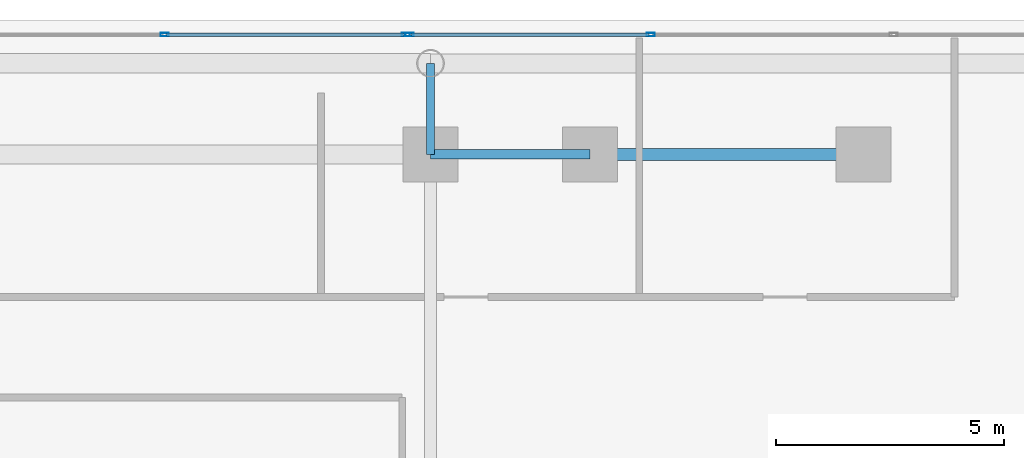
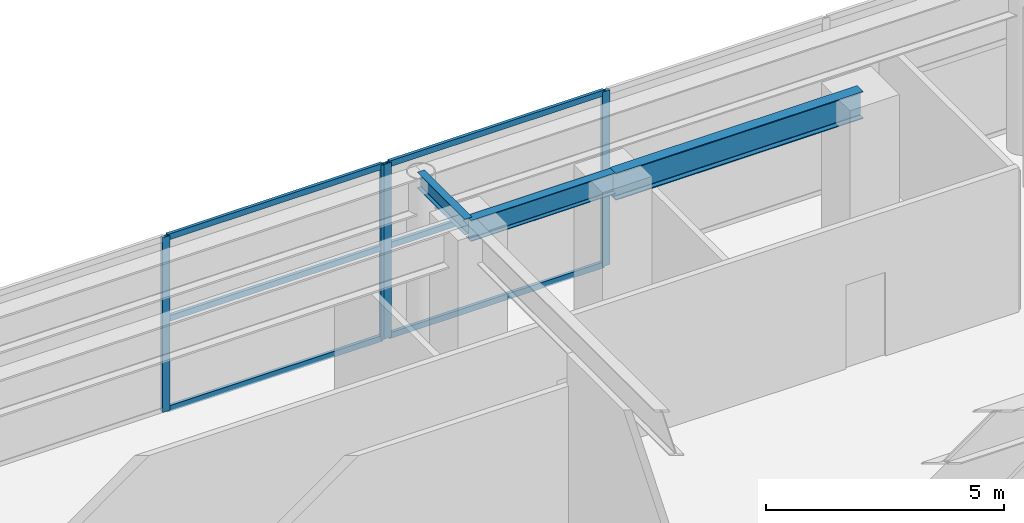
# One storey, part 15 of 28: 10 members, 3 beams, 2 elements without a shape of their own.
"""IFC4 building model written with IfcOpenShell, lengths in metres."""

from ifc_helpers import new_model, si_unit, direction, frame, origin, origin_2d, place, context, subcontext, project, spatial, hollow_rectangle, i_section, extrude, source, transform, mapped, material, layer, layer_set, material_profile, profile_set, type_object, element, aggregate, save


model = new_model("IFC4")

# Units and contexts
model_context = context("Model", 3, precision=1e-05, world=origin(), true_north=direction((0.0, 1.0)))
body_context = subcontext(model_context, "Body", "Model", "MODEL_VIEW")
ifc_project = project(units=[si_unit("LENGTHUNIT", "METRE"), si_unit("AREAUNIT", "SQUARE_METRE"), si_unit("VOLUMEUNIT", "CUBIC_METRE"), si_unit("PLANEANGLEUNIT", "RADIAN"), si_unit("MASSUNIT", "GRAM", prefix="KILO")], contexts=[model_context])

# Site, building, storey
site_placement = place(None, origin())
site = spatial("IfcSite", under=ifc_project, at=site_placement, CompositionType="ELEMENT")
building_placement = place(site_placement, origin())
building = spatial("IfcBuilding", under=site, at=building_placement, Name="Ocotamira Hotel", CompositionType="ELEMENT")
storey_placement = place(building_placement, frame((0.0, 0.0, 24.0)))
storey = spatial("IfcBuildingStorey", under=building, at=storey_placement, Name="L05", CompositionType="ELEMENT", Elevation=24.0)

# Beams
ifc_material_1 = material(Name="Steel ASTM A992 Grade 50", Category="steel")
ifc_material_profile_1 = material_profile(ifc_material_1, i_section(OverallWidth=0.256103515625, OverallDepth=0.693115234375, WebThickness=0.014404296875, FlangeThickness=0.023681640625, FilletRadius=0.01611328125, at=origin_2d()), Name="W27X114")
ifc_profile_set_1 = profile_set([ifc_material_profile_1], Name="Steel ASTM A992 Grade 50")
beam_type_1 = type_object("IfcBeamType", Name="BM-PRIM-W27X114", PredefinedType="BEAM", material=ifc_profile_set_1)
shared_shape_1 = source(origin(), body_context, "Body", "SweptSolid", [
    extrude(i_section(OverallWidth=0.256103515625, OverallDepth=0.693115234375, WebThickness=0.014404296875, FlangeThickness=0.023681640625, FilletRadius=0.01611328125, at=origin_2d()), origin(), (0.0, 0.0, 1.0), 6.0),
])
beam_1_placement = place(storey_placement, frame((44.0, 49.050048828125, 4.133544921875), z_axis=(1.0, 0.0, 0.0), x_axis=(0.0, 1.0, 0.0)))
element("IfcBeam", 1, at=beam_1_placement, inside=storey, type_object=beam_type_1, Name="L05 Girder Y49.05 X44-50", PredefinedType="BEAM", context=body_context, shape_type="MappedRepresentation", body=[
    mapped(shared_shape_1, transform((0.0, 0.0, 0.0), scale=1.0)),
])
ifc_material_profile_2 = material_profile(ifc_material_1, i_section(OverallWidth=0.2099609375, OverallDepth=0.537109375, WebThickness=0.010986328125, FlangeThickness=0.017333984375, FilletRadius=0.012939453125, at=origin_2d()), Name="W21X68")
ifc_profile_set_2 = profile_set([ifc_material_profile_2], Name="Steel ASTM A992 Grade 50")
beam_type_2 = type_object("IfcBeamType", Name="BM-SEC-W21X68", PredefinedType="JOIST", material=ifc_profile_set_2)
shared_shape_2 = source(origin(), body_context, "Body", "SweptSolid", [
    extrude(i_section(OverallWidth=0.2099609375, OverallDepth=0.537109375, WebThickness=0.010986328125, FlangeThickness=0.017333984375, FilletRadius=0.012939453125, at=origin_2d()), origin(), (0.0, 0.0, 1.0), 3.5),
])
beam_2_placement = place(storey_placement, frame((40.5, 49.050048828125, 4.21142578125), z_axis=(1.0, 0.0, 0.0), x_axis=(0.0, 1.0, 0.0)))
element("IfcBeam", 2, at=beam_2_placement, inside=storey, type_object=beam_type_2, Name="L05 Girder Y49.05 X40.5-44", PredefinedType="JOIST", context=body_context, shape_type="MappedRepresentation", body=[
    mapped(shared_shape_2, transform((0.0, 0.0, 0.0), scale=1.0)),
])
ifc_material_profile_3 = material_profile(ifc_material_1, i_section(OverallWidth=0.177978515625, OverallDepth=0.403076171875, WebThickness=0.007568359375, FlangeThickness=0.010986328125, FilletRadius=0.010009765625, at=origin_2d()), Name="W16X36")
ifc_profile_set_3 = profile_set([ifc_material_profile_3], Name="Steel ASTM A992 Grade 50")
beam_type_3 = type_object("IfcBeamType", Name="BM-SEC-W16X36", PredefinedType="JOIST", material=ifc_profile_set_3)
shared_shape_3 = source(origin(), body_context, "Body", "SweptSolid", [
    extrude(i_section(OverallWidth=0.177978515625, OverallDepth=0.403076171875, WebThickness=0.007568359375, FlangeThickness=0.010986328125, FilletRadius=0.010009765625, at=origin_2d()), origin(), (0.0, 0.0, 1.0), 2.0),
])
beam_3_placement = place(storey_placement, frame((40.5, 49.050048828125, 4.278564453125), z_axis=(0.0, 1.0, 0.0), x_axis=(-1.0, 0.0, 0.0)))
element("IfcBeam", 3, at=beam_3_placement, inside=storey, type_object=beam_type_3, Name="L05 Beam X40.5 Y49.05-51.05", PredefinedType="JOIST", context=body_context, shape_type="MappedRepresentation", body=[
    mapped(shared_shape_3, transform((0.0, 0.0, 0.0), scale=1.0)),
])

# Curtain wall, members
ifc_material_2 = material(Name="Anodised pale-metal aluminium and solar glass", Category="aluminium")
ifc_layer = layer(ifc_material_2, 0.219970703125)
ifc_layer_set = layer_set([ifc_layer], Name="Anodised pale-metal aluminium and solar glass")
curtain_wall_type = type_object("IfcCurtainWallType", Name="CW-SYS1-POD", PredefinedType="NOTDEFINED", material=ifc_layer_set)
curtain_wall_1_placement = place(storey_placement, origin())
curtain_wall_1 = element("IfcCurtainWall", 4, at=curtain_wall_1_placement, inside=storey, type_object=curtain_wall_type, Name="L05 Curtain Wall CW-1 CW-L05-N2", PredefinedType="NOTDEFINED")
ifc_material_3 = material(Name="Anodised pale-metal aluminium 6063-T6", Category="aluminium")
ifc_material_profile_4 = material_profile(ifc_material_3, hollow_rectangle(XDim=0.080078125, YDim=0.179931640625, WallThickness=0.006103515625, at=origin_2d()), Name="HSS180X80X6")
ifc_profile_set_4 = profile_set([ifc_material_profile_4], Name="Anodised pale-metal aluminium 6063-T6")
member_type_1 = type_object("IfcMemberType", Name="CWM-180X75", PredefinedType="MULLION", material=ifc_profile_set_4)
shared_shape_4 = source(origin(), body_context, "Body", "SweptSolid", [
    extrude(hollow_rectangle(XDim=0.080078125, YDim=0.179931640625, WallThickness=0.006103515625, at=origin_2d()), origin(), (0.0, 0.0, 1.0), 4.47998046875),
])
member_1_placement = place(storey_placement, frame((34.666748046875, 51.679931640625, 0.0), z_axis=(0.0, 0.0, 1.0), x_axis=(0.0, 1.0, 0.0)))
member_1 = element("IfcMember", 5, at=member_1_placement, type_object=member_type_1, Name="CW-1 mullion 3", PredefinedType="MULLION", context=body_context, shape_type="MappedRepresentation", body=[
    mapped(shared_shape_4, transform((0.0, 0.0, 0.0), scale=1.0)),
])
member_2_placement = place(storey_placement, frame((39.9599609375, 51.679931640625, 0.0), z_axis=(0.0, 0.0, 1.0), x_axis=(0.0, 1.0, 0.0)))
member_2 = element("IfcMember", 6, at=member_2_placement, type_object=member_type_1, Name="CW-1 mullion 4", PredefinedType="MULLION", context=body_context, shape_type="MappedRepresentation", body=[
    mapped(shared_shape_4, transform((0.0, 0.0, 0.0), scale=1.0)),
])

curtain_wall_2_placement = place(storey_placement, origin())
curtain_wall_2 = element("IfcCurtainWall", 7, at=curtain_wall_2_placement, inside=storey, type_object=curtain_wall_type, Name="L05 Curtain Wall CW-1 CW-L05-N3", PredefinedType="NOTDEFINED")
member_3_placement = place(storey_placement, frame((40.0400390625, 51.679931640625, 0.0), z_axis=(0.0, 0.0, 1.0), x_axis=(0.0, 1.0, 0.0)))
member_3 = element("IfcMember", 8, at=member_3_placement, type_object=member_type_1, Name="CW-1 mullion 1", PredefinedType="MULLION", context=body_context, shape_type="MappedRepresentation", body=[
    mapped(shared_shape_4, transform((0.0, 0.0, 0.0), scale=1.0)),
])
member_4_placement = place(storey_placement, frame((45.333251953125, 51.679931640625, 0.0), z_axis=(0.0, 0.0, 1.0), x_axis=(0.0, 1.0, 0.0)))
member_4 = element("IfcMember", 9, at=member_4_placement, type_object=member_type_1, Name="CW-1 mullion 2", PredefinedType="MULLION", context=body_context, shape_type="MappedRepresentation", body=[
    mapped(shared_shape_4, transform((0.0, 0.0, 0.0), scale=1.0)),
])

# Member
ifc_material_profile_5 = material_profile(ifc_material_3, hollow_rectangle(XDim=0.074951171875, YDim=0.14990234375, WallThickness=0.006103515625, at=origin_2d()), Name="HSS150X75X6")
ifc_profile_set_5 = profile_set([ifc_material_profile_5], Name="Anodised pale-metal aluminium 6063-T6")
member_type_2 = type_object("IfcMemberType", Name="CWT-150X75", PredefinedType="USERDEFINED", material=ifc_profile_set_5)
shared_shape_5 = source(origin(), body_context, "Body", "SweptSolid", [
    extrude(hollow_rectangle(XDim=0.074951171875, YDim=0.14990234375, WallThickness=0.006103515625, at=origin_2d()), origin(), (0.0, 0.0, 1.0), 5.213134765625),
])
member_5_placement = place(storey_placement, frame((34.706787109375, 51.679931640625, 0.03759765625), z_axis=(1.0, 0.0, 0.0), x_axis=(0.0, 1.0, 0.0)))
member_5 = element("IfcMember", 10, at=member_5_placement, type_object=member_type_2, Name="CW-1 transom 3.1", ObjectType="TRANSOM", PredefinedType="USERDEFINED", context=body_context, shape_type="MappedRepresentation", body=[
    mapped(shared_shape_5, transform((0.0, 0.0, 0.0), scale=1.0)),
])

member_6_placement = place(storey_placement, frame((34.706787109375, 51.679931640625, 2.35009765625), z_axis=(1.0, 0.0, 0.0), x_axis=(0.0, 1.0, 0.0)))
member_6 = element("IfcMember", 11, at=member_6_placement, type_object=member_type_2, Name="CW-1 transom 3.2", ObjectType="TRANSOM", PredefinedType="USERDEFINED", context=body_context, shape_type="MappedRepresentation", body=[
    mapped(shared_shape_5, transform((0.0, 0.0, 0.0), scale=1.0)),
])

member_7_placement = place(storey_placement, frame((34.706787109375, 51.679931640625, 4.4423828125), z_axis=(1.0, 0.0, 0.0), x_axis=(0.0, 1.0, 0.0)))
member_7 = element("IfcMember", 12, at=member_7_placement, type_object=member_type_2, Name="CW-1 transom 3.3", ObjectType="TRANSOM", PredefinedType="USERDEFINED", context=body_context, shape_type="MappedRepresentation", body=[
    mapped(shared_shape_5, transform((0.0, 0.0, 0.0), scale=1.0)),
])

aggregate(curtain_wall_1, [member_1, member_2, member_5, member_6, member_7])

member_8_placement = place(storey_placement, frame((40.080078125, 51.679931640625, 0.03759765625), z_axis=(1.0, 0.0, 0.0), x_axis=(0.0, 1.0, 0.0)))
member_8 = element("IfcMember", 13, at=member_8_placement, type_object=member_type_2, Name="CW-1 transom 1.1", ObjectType="TRANSOM", PredefinedType="USERDEFINED", context=body_context, shape_type="MappedRepresentation", body=[
    mapped(shared_shape_5, transform((0.0, 0.0, 0.0), scale=1.0)),
])

member_9_placement = place(storey_placement, frame((40.080078125, 51.679931640625, 2.35009765625), z_axis=(1.0, 0.0, 0.0), x_axis=(0.0, 1.0, 0.0)))
member_9 = element("IfcMember", 14, at=member_9_placement, type_object=member_type_2, Name="CW-1 transom 1.2", ObjectType="TRANSOM", PredefinedType="USERDEFINED", context=body_context, shape_type="MappedRepresentation", body=[
    mapped(shared_shape_5, transform((0.0, 0.0, 0.0), scale=1.0)),
])

member_10_placement = place(storey_placement, frame((40.080078125, 51.679931640625, 4.4423828125), z_axis=(1.0, 0.0, 0.0), x_axis=(0.0, 1.0, 0.0)))
member_10 = element("IfcMember", 15, at=member_10_placement, type_object=member_type_2, Name="CW-1 transom 1.3", ObjectType="TRANSOM", PredefinedType="USERDEFINED", context=body_context, shape_type="MappedRepresentation", body=[
    mapped(shared_shape_5, transform((0.0, 0.0, 0.0), scale=1.0)),
])

aggregate(curtain_wall_2, [member_3, member_4, member_8, member_9, member_10])

save(model, "model.ifc")
